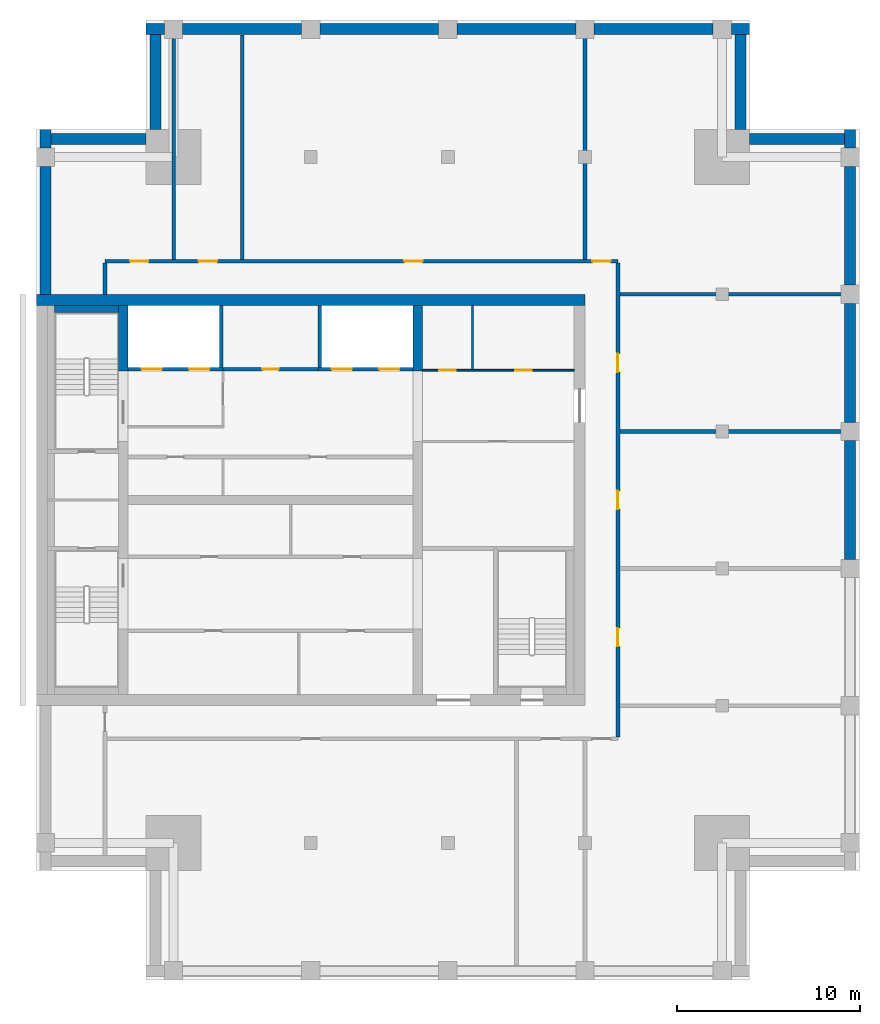
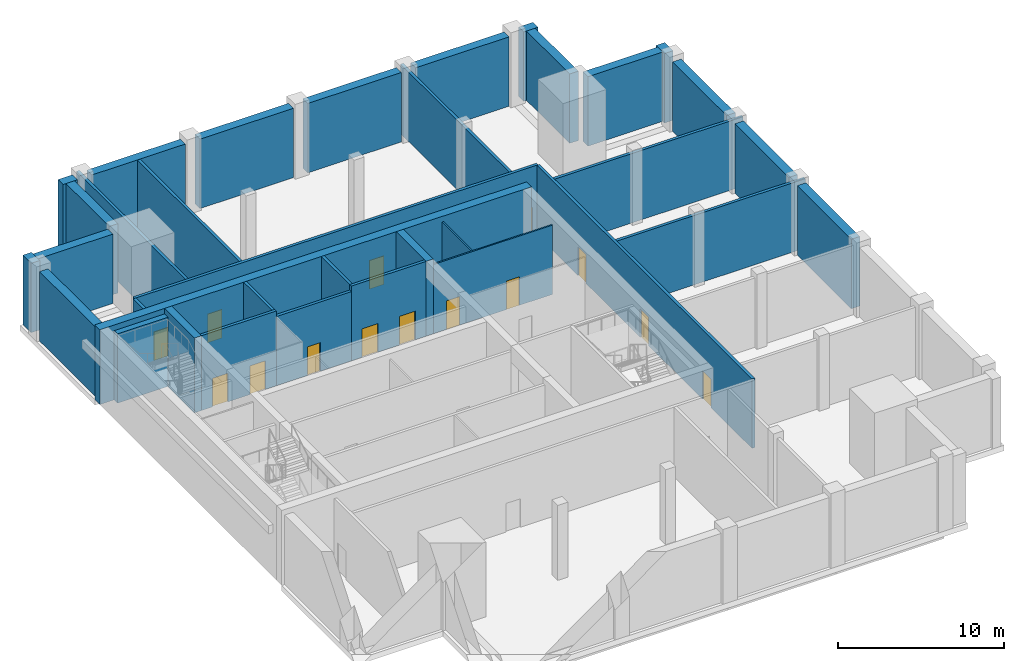
# One storey, part 3 of 8: 35 walls, 14 doors, 14 openings.
"""IFC4 building model written with IfcOpenShell, lengths in metres."""

from ifc_helpers import new_model, si_unit, direction, frame, frame_2d, origin, place, context, subcontext, project, spatial, rectangle, extrude, material, layer, layer_set, type_object, element, fill, save


model = new_model("IFC4")

# Units and contexts
model_context = context("Model", 3, precision=1e-05, world=origin(), true_north=direction((0.0, 1.0)))
body_context = subcontext(model_context, "Body", "Model", "MODEL_VIEW")
ifc_project = project(units=[si_unit("LENGTHUNIT", "METRE"), si_unit("AREAUNIT", "SQUARE_METRE"), si_unit("VOLUMEUNIT", "CUBIC_METRE"), si_unit("PLANEANGLEUNIT", "RADIAN"), si_unit("MASSUNIT", "GRAM", prefix="KILO")], contexts=[model_context])

# Site, building, storey
site_placement = place(None, origin())
site = spatial("IfcSite", under=ifc_project, at=site_placement, CompositionType="ELEMENT")
building_placement = place(site_placement, origin())
building = spatial("IfcBuilding", under=site, at=building_placement, Name="Tamorin Gate", CompositionType="ELEMENT")
storey_placement = place(building_placement, frame((0.0, 0.0, 314.699951171875)))
storey = spatial("IfcBuildingStorey", under=building, at=storey_placement, Name="L77", CompositionType="ELEMENT", Elevation=314.699951171875)

# Wall, openings, doors
ifc_material_1 = material(Name="Concrete C32/40", Category="concrete")
ifc_layer_1 = layer(ifc_material_1, 0.199951171875)
ifc_layer_set_1 = layer_set([ifc_layer_1], Name="Lift lobby face wall 200 EI 120")
wall_type_1 = type_object("IfcWallType", Name="Lift lobby face wall 200 EI 120", PredefinedType="SOLIDWALL", material=ifc_layer_set_1)
wall_1_placement = place(storey_placement, frame((35.0, 78.39990234375, 0.0), z_axis=(0.0, 0.0, 1.0), x_axis=(1.0, 0.0, 0.0)))
wall_1 = element("IfcWall", 1, at=wall_1_placement, inside=storey, type_object=wall_type_1, Name="Lift lobby face wall", PredefinedType="SOLIDWALL", context=body_context, shape_type="SweptSolid", body=[
    extrude(rectangle(XDim=5.199951171875, YDim=0.199951171875, at=frame_2d((2.60009765625, 0.0))), origin(), (0.0, 0.0, 1.0), 5.5),
])
opening_1_placement = place(wall_1_placement, frame((0.75, 0.0, 0.0)))
opening_1 = element("IfcOpeningElement", 2, at=opening_1_placement, cuts=wall_1, Name="Opening LD17", PredefinedType="OPENING", context=body_context, shape_type="SweptSolid", body=[
    extrude(rectangle(XDim=1.10009765625, YDim=2.10009765625, at=frame_2d((0.550048828125, 1.050048828125))), frame((0.0, 0.10986328125, 0.0), z_axis=(0.0, -1.0, 0.0), x_axis=(1.0, 0.0, 0.0)), (0.0, 0.0, 1.0), 0.219970703125),
])
opening_2_placement = place(wall_1_placement, frame((3.35009765625, 0.0, 0.0)))
opening_2 = element("IfcOpeningElement", 3, at=opening_2_placement, cuts=wall_1, Name="Opening LD18", PredefinedType="OPENING", context=body_context, shape_type="SweptSolid", body=[
    extrude(rectangle(XDim=1.10009765625, YDim=2.10009765625, at=frame_2d((0.550048828125, 1.050048828125))), frame((0.0, 0.10986328125, 0.0), z_axis=(0.0, -1.0, 0.0), x_axis=(1.0, 0.0, 0.0)), (0.0, 0.0, 1.0), 0.219970703125),
])
ifc_material_2 = material(Name="Stainless steel sliding door", Category="steel")
door_type_1 = type_object("IfcDoorType", Name="Lift landing door 1100 x 2100 E 90", OperationType="DOUBLE_DOOR_SLIDING", PredefinedType="DOOR", material=ifc_material_2)
door_1_placement = place(opening_1_placement, origin())
door_1 = element("IfcDoor", 4, at=door_1_placement, inside=storey, type_object=door_type_1, Name="FF1 landing door", OperationType="DOUBLE_DOOR_SLIDING", OverallHeight=2.10009765625, OverallWidth=1.10009765625, PredefinedType="DOOR", context=body_context, shape_type="SweptSolid", body=[
    extrude(rectangle(XDim=1.10009765625, YDim=2.10009765625, at=frame_2d((0.550048828125, 1.050048828125))), frame((0.0, 0.02490234375, 0.0), z_axis=(0.0, -1.0, 0.0), x_axis=(1.0, 0.0, 0.0)), (0.0, 0.0, 1.0), 0.050048828125),
])
fill(opening_1, door_1)
door_2_placement = place(opening_2_placement, origin())
door_2 = element("IfcDoor", 5, at=door_2_placement, inside=storey, type_object=door_type_1, Name="FF2 landing door", OperationType="DOUBLE_DOOR_SLIDING", OverallHeight=2.10009765625, OverallWidth=1.10009765625, PredefinedType="DOOR", context=body_context, shape_type="SweptSolid", body=[
    extrude(rectangle(XDim=1.10009765625, YDim=2.10009765625, at=frame_2d((0.550048828125, 1.050048828125))), frame((0.0, 0.02490234375, 0.0), z_axis=(0.0, -1.0, 0.0), x_axis=(1.0, 0.0, 0.0)), (0.0, 0.0, 1.0), 0.050048828125),
])
fill(opening_2, door_2)

wall_2_placement = place(storey_placement, frame((45.39990234375, 78.39990234375, 0.0), z_axis=(0.0, 0.0, 1.0), x_axis=(1.0, 0.0, 0.0)))
wall_2 = element("IfcWall", 6, at=wall_2_placement, inside=storey, type_object=wall_type_1, Name="Lift lobby face wall", PredefinedType="SOLIDWALL", context=body_context, shape_type="SweptSolid", body=[
    extrude(rectangle(XDim=5.2001953125, YDim=0.199951171875, at=frame_2d((2.60009765625, 0.0))), origin(), (0.0, 0.0, 1.0), 5.5),
])
opening_3_placement = place(wall_2_placement, frame((0.75, 0.0, 0.0)))
opening_3 = element("IfcOpeningElement", 7, at=opening_3_placement, cuts=wall_2, Name="Opening LD21", PredefinedType="OPENING", context=body_context, shape_type="SweptSolid", body=[
    extrude(rectangle(XDim=1.10009765625, YDim=2.10009765625, at=frame_2d((0.550048828125, 1.050048828125))), frame((0.0, 0.10986328125, 0.0), z_axis=(0.0, -1.0, 0.0), x_axis=(1.0, 0.0, 0.0)), (0.0, 0.0, 1.0), 0.219970703125),
])
opening_4_placement = place(wall_2_placement, frame((3.35009765625, 0.0, 0.0)))
opening_4 = element("IfcOpeningElement", 8, at=opening_4_placement, cuts=wall_2, Name="Opening LD22", PredefinedType="OPENING", context=body_context, shape_type="SweptSolid", body=[
    extrude(rectangle(XDim=1.10009765625, YDim=2.10009765625, at=frame_2d((0.550048828125, 1.050048828125))), frame((0.0, 0.10986328125, 0.0), z_axis=(0.0, -1.0, 0.0), x_axis=(1.0, 0.0, 0.0)), (0.0, 0.0, 1.0), 0.219970703125),
])
door_3_placement = place(opening_3_placement, origin())
door_3 = element("IfcDoor", 9, at=door_3_placement, inside=storey, type_object=door_type_1, Name="SV1 landing door", OperationType="DOUBLE_DOOR_SLIDING", OverallHeight=2.10009765625, OverallWidth=1.10009765625, PredefinedType="DOOR", context=body_context, shape_type="SweptSolid", body=[
    extrude(rectangle(XDim=1.10009765625, YDim=2.10009765625, at=frame_2d((0.550048828125, 1.050048828125))), frame((0.0, 0.02490234375, 0.0), z_axis=(0.0, -1.0, 0.0), x_axis=(1.0, 0.0, 0.0)), (0.0, 0.0, 1.0), 0.050048828125),
])
fill(opening_3, door_3)
door_4_placement = place(opening_4_placement, origin())
door_4 = element("IfcDoor", 10, at=door_4_placement, inside=storey, type_object=door_type_1, Name="SV2 landing door", OperationType="DOUBLE_DOOR_SLIDING", OverallHeight=2.10009765625, OverallWidth=1.10009765625, PredefinedType="DOOR", context=body_context, shape_type="SweptSolid", body=[
    extrude(rectangle(XDim=1.10009765625, YDim=2.10009765625, at=frame_2d((0.550048828125, 1.050048828125))), frame((0.0, 0.02490234375, 0.0), z_axis=(0.0, -1.0, 0.0), x_axis=(1.0, 0.0, 0.0)), (0.0, 0.0, 1.0), 0.050048828125),
])
fill(opening_4, door_4)

# Walls
ifc_layer_2 = layer(ifc_material_1, 0.199951171875)
ifc_layer_set_2 = layer_set([ifc_layer_2], Name="Lift shaft wall 200 EI 120")
wall_type_2 = type_object("IfcWallType", Name="Lift shaft wall 200 EI 120", PredefinedType="SOLIDWALL", material=ifc_layer_set_2)
for number, where, z_axis, x_axis, name in (
    (11, (40.10009765625, 78.5, 0.0), (0.0, 0.0, 1.0), (0.0, 1.0, 0.0), "Lift shaft wall"),
    (12, (45.5, 78.5, 0.0), (0.0, 0.0, 1.0), (0.0, 1.0, 0.0), "Lift shaft wall"),
):
    element("IfcWall", number, at=place(storey_placement, frame(where, z_axis=z_axis, x_axis=x_axis)), inside=storey, type_object=wall_type_2, Name=name, PredefinedType="SOLIDWALL", context=body_context, shape_type="SweptSolid", body=[
        extrude(rectangle(XDim=3.39990234375, YDim=0.199951171875, at=frame_2d((1.699951171875, 0.0))), origin(), (0.0, 0.0, 1.0), 5.5),
    ])
ifc_material_3 = material(Name="Aluminium louvres in concrete frame", Category="concrete")
ifc_layer_3 = layer(ifc_material_3, 0.60009765625)
ifc_layer_set_3 = layer_set([ifc_layer_3], Name="Louvred plant wall 600")
wall_type_3 = type_object("IfcWallType", Name="Louvred plant wall 600", PredefinedType="ELEMENTEDWALL", material=ifc_layer_set_3)
for number, where, z_axis, x_axis, name in (
    (13, (74.5, 68.0, 0.0), (0.0, 0.0, 1.0), (0.0, 1.0, 0.0), "Louvred plant wall"),
    (14, (74.5, 75.5, 0.0), (0.0, 0.0, 1.0), (0.0, 1.0, 0.0), "Louvred plant wall"),
    (15, (74.5, 83.0, 0.0), (0.0, 0.0, 1.0), (0.0, 1.0, 0.0), "Louvred plant wall"),
):
    element("IfcWall", number, at=place(storey_placement, frame(where, z_axis=z_axis, x_axis=x_axis)), inside=storey, type_object=wall_type_3, Name=name, PredefinedType="ELEMENTEDWALL", context=body_context, shape_type="SweptSolid", body=[
        extrude(rectangle(XDim=6.5, YDim=0.60009765625, at=frame_2d((3.25, 0.0))), origin(), (0.0, 0.0, 1.0), 5.10009765625),
    ])
wall_3_placement = place(storey_placement, frame((74.5, 90.5, 0.0), z_axis=(0.0, 0.0, 1.0), x_axis=(0.0, 1.0, 0.0)))
element("IfcWall", 16, at=wall_3_placement, inside=storey, type_object=wall_type_3, Name="Louvred plant wall", PredefinedType="ELEMENTEDWALL", context=body_context, shape_type="SweptSolid", body=[
    extrude(rectangle(XDim=1.0, YDim=0.60009765625, at=frame_2d((0.5, 0.0))), origin(), (0.0, 0.0, 1.0), 5.10009765625),
])
for number, where, z_axis, x_axis, name in (
    (17, (74.199951171875, 91.0, 0.0), (0.0, 0.0, 1.0), (-1.0, 0.0, 0.0), "Louvred plant wall"),
    (18, (68.5, 91.5, 0.0), (0.0, 0.0, 1.0), (0.0, 1.0, 0.0), "Louvred plant wall"),
):
    element("IfcWall", number, at=place(storey_placement, frame(where, z_axis=z_axis, x_axis=x_axis)), inside=storey, type_object=wall_type_3, Name=name, PredefinedType="ELEMENTEDWALL", context=body_context, shape_type="SweptSolid", body=[
        extrude(rectangle(XDim=5.199951171875, YDim=0.60009765625, at=frame_2d((2.60009765625, 0.0))), origin(), (0.0, 0.0, 1.0), 5.10009765625),
    ])
wall_4_placement = place(storey_placement, frame((69.0, 97.0, 0.0), z_axis=(0.0, 0.0, 1.0), x_axis=(-1.0, 0.0, 0.0)))
element("IfcWall", 19, at=wall_4_placement, inside=storey, type_object=wall_type_3, Name="Louvred plant wall", PredefinedType="ELEMENTEDWALL", context=body_context, shape_type="SweptSolid", body=[
    extrude(rectangle(XDim=1.0, YDim=0.60009765625, at=frame_2d((0.5, 0.0))), origin(), (0.0, 0.0, 1.0), 5.10009765625),
])
for number, where, z_axis, x_axis, name in (
    (20, (67.0, 97.0, 0.0), (0.0, 0.0, 1.0), (-1.0, 0.0, 0.0), "Louvred plant wall"),
    (21, (59.5, 97.0, 0.0), (0.0, 0.0, 1.0), (-1.0, 0.0, 0.0), "Louvred plant wall"),
    (22, (52.0, 97.0, 0.0), (0.0, 0.0, 1.0), (-1.0, 0.0, 0.0), "Louvred plant wall"),
    (23, (44.5, 97.0, 0.0), (0.0, 0.0, 1.0), (-1.0, 0.0, 0.0), "Louvred plant wall"),
):
    element("IfcWall", number, at=place(storey_placement, frame(where, z_axis=z_axis, x_axis=x_axis)), inside=storey, type_object=wall_type_3, Name=name, PredefinedType="ELEMENTEDWALL", context=body_context, shape_type="SweptSolid", body=[
        extrude(rectangle(XDim=6.5, YDim=0.60009765625, at=frame_2d((3.25, 0.0))), origin(), (0.0, 0.0, 1.0), 5.10009765625),
    ])
wall_5_placement = place(storey_placement, frame((37.0, 97.0, 0.0), z_axis=(0.0, 0.0, 1.0), x_axis=(-1.0, 0.0, 0.0)))
element("IfcWall", 24, at=wall_5_placement, inside=storey, type_object=wall_type_3, Name="Louvred plant wall", PredefinedType="ELEMENTEDWALL", context=body_context, shape_type="SweptSolid", body=[
    extrude(rectangle(XDim=1.0, YDim=0.60009765625, at=frame_2d((0.5, 0.0))), origin(), (0.0, 0.0, 1.0), 5.10009765625),
])
for number, where, z_axis, x_axis, name in (
    (25, (36.5, 96.699951171875, 0.0), (0.0, 0.0, 1.0), (0.0, -1.0, 0.0), "Louvred plant wall"),
    (26, (36.0, 91.0, 0.0), (0.0, 0.0, 1.0), (-1.0, 0.0, 0.0), "Louvred plant wall"),
):
    element("IfcWall", number, at=place(storey_placement, frame(where, z_axis=z_axis, x_axis=x_axis)), inside=storey, type_object=wall_type_3, Name=name, PredefinedType="ELEMENTEDWALL", context=body_context, shape_type="SweptSolid", body=[
        extrude(rectangle(XDim=5.199951171875, YDim=0.60009765625, at=frame_2d((2.60009765625, 0.0))), origin(), (0.0, 0.0, 1.0), 5.10009765625),
    ])
wall_6_placement = place(storey_placement, frame((30.5, 91.5, 0.0), z_axis=(0.0, 0.0, 1.0), x_axis=(0.0, -1.0, 0.0)))
element("IfcWall", 27, at=wall_6_placement, inside=storey, type_object=wall_type_3, Name="Louvred plant wall", PredefinedType="ELEMENTEDWALL", context=body_context, shape_type="SweptSolid", body=[
    extrude(rectangle(XDim=1.0, YDim=0.60009765625, at=frame_2d((0.5, 0.0))), origin(), (0.0, 0.0, 1.0), 5.10009765625),
])
wall_7_placement = place(storey_placement, frame((30.5, 89.5, 0.0), z_axis=(0.0, 0.0, 1.0), x_axis=(0.0, -1.0, 0.0)))
element("IfcWall", 28, at=wall_7_placement, inside=storey, type_object=wall_type_3, Name="Louvred plant wall", PredefinedType="ELEMENTEDWALL", context=body_context, shape_type="SweptSolid", body=[
    extrude(rectangle(XDim=7.0, YDim=0.60009765625, at=frame_2d((3.5, 0.0))), origin(), (0.0, 0.0, 1.0), 5.10009765625),
])
ifc_material_4 = material(Name="Gypsum board partition")
ifc_layer_4 = layer(ifc_material_4, 0.199951171875)
ifc_layer_set_4 = layer_set([ifc_layer_4], Name="Plant and refuge wall 200")
wall_type_4 = type_object("IfcWallType", Name="Plant and refuge wall 200", PredefinedType="PARTITIONING", material=ifc_layer_set_4)
for number, where, z_axis, x_axis, name in (
    (29, (61.89990234375, 75.0, 0.0), (0.0, 0.0, 1.0), (1.0, 0.0, 0.0), "Plant and refuge wall 200"),
    (30, (61.89990234375, 82.5, 0.0), (0.0, 0.0, 1.0), (1.0, 0.0, 0.0), "Plant and refuge wall 200"),
):
    element("IfcWall", number, at=place(storey_placement, frame(where, z_axis=z_axis, x_axis=x_axis)), inside=storey, type_object=wall_type_4, Name=name, PredefinedType="PARTITIONING", context=body_context, shape_type="SweptSolid", body=[
        extrude(rectangle(XDim=13.10009765625, YDim=0.199951171875, at=frame_2d((6.550048828125, 0.0))), origin(), (0.0, 0.0, 1.0), 5.10009765625),
    ])

# Wall, openings, doors
wall_8_placement = place(storey_placement, frame((33.75, 84.300048828125, 0.0), z_axis=(0.0, 0.0, 1.0), x_axis=(1.0, 0.0, 0.0)))
wall_8 = element("IfcWall", 31, at=wall_8_placement, inside=storey, type_object=wall_type_4, Name="Plant and refuge wall 200", PredefinedType="PARTITIONING", context=body_context, shape_type="SweptSolid", body=[
    extrude(rectangle(XDim=28.050048828125, YDim=0.199951171875, at=frame_2d((14.02490234375, 0.0))), origin(), (0.0, 0.0, 1.0), 5.10009765625),
])
opening_5_placement = place(wall_8_placement, frame((1.375, 0.0, 0.0)))
opening_5 = element("IfcOpeningElement", 32, at=opening_5_placement, cuts=wall_8, Name="Opening DPL4005", PredefinedType="OPENING", context=body_context, shape_type="SweptSolid", body=[
    extrude(rectangle(XDim=1.0, YDim=2.10009765625, at=frame_2d((0.5, 1.050048828125))), frame((0.0, 0.10986328125, 0.0), z_axis=(0.0, -1.0, 0.0), x_axis=(1.0, 0.0, 0.0)), (0.0, 0.0, 1.0), 0.219970703125),
])
opening_6_placement = place(wall_8_placement, frame((5.125, 0.0, 0.0)))
opening_6 = element("IfcOpeningElement", 33, at=opening_6_placement, cuts=wall_8, Name="Opening DPL4006", PredefinedType="OPENING", context=body_context, shape_type="SweptSolid", body=[
    extrude(rectangle(XDim=1.0, YDim=2.10009765625, at=frame_2d((0.5, 1.050048828125))), frame((0.0, 0.10986328125, 0.0), z_axis=(0.0, -1.0, 0.0), x_axis=(1.0, 0.0, 0.0)), (0.0, 0.0, 1.0), 0.219970703125),
])
opening_7_placement = place(wall_8_placement, frame((16.375, 0.0, 0.0)))
opening_7 = element("IfcOpeningElement", 34, at=opening_7_placement, cuts=wall_8, Name="Opening DPL4007", PredefinedType="OPENING", context=body_context, shape_type="SweptSolid", body=[
    extrude(rectangle(XDim=1.0, YDim=2.10009765625, at=frame_2d((0.5, 1.050048828125))), frame((0.0, 0.10986328125, 0.0), z_axis=(0.0, -1.0, 0.0), x_axis=(1.0, 0.0, 0.0)), (0.0, 0.0, 1.0), 0.219970703125),
])
opening_8_placement = place(wall_8_placement, frame((26.64990234375, 0.0, 0.0)))
opening_8 = element("IfcOpeningElement", 35, at=opening_8_placement, cuts=wall_8, Name="Opening DPL4008", PredefinedType="OPENING", context=body_context, shape_type="SweptSolid", body=[
    extrude(rectangle(XDim=1.0, YDim=2.10009765625, at=frame_2d((0.5, 1.050048828125))), frame((0.0, 0.10986328125, 0.0), z_axis=(0.0, -1.0, 0.0), x_axis=(1.0, 0.0, 0.0)), (0.0, 0.0, 1.0), 0.219970703125),
])
ifc_material_5 = material(Name="Timber door leaf", Category="wood")
door_type_2 = type_object("IfcDoorType", Name="Door 1000 x 2100 FD60", OperationType="NOTDEFINED", PredefinedType="DOOR", material=ifc_material_5)
door_5_placement = place(opening_5_placement, origin())
door_5 = element("IfcDoor", 36, at=door_5_placement, inside=storey, type_object=door_type_2, Name="Door DPL4005", OperationType="SINGLE_SWING_LEFT", OverallHeight=2.10009765625, OverallWidth=1.0, PredefinedType="DOOR", context=body_context, shape_type="SweptSolid", body=[
    extrude(rectangle(XDim=1.0, YDim=2.10009765625, at=frame_2d((0.5, 1.050048828125))), frame((0.0, 0.02490234375, 0.0), z_axis=(0.0, -1.0, 0.0), x_axis=(1.0, 0.0, 0.0)), (0.0, 0.0, 1.0), 0.050048828125),
])
fill(opening_5, door_5)
door_6_placement = place(opening_6_placement, origin())
door_6 = element("IfcDoor", 37, at=door_6_placement, inside=storey, type_object=door_type_2, Name="Door DPL4006", OperationType="SINGLE_SWING_LEFT", OverallHeight=2.10009765625, OverallWidth=1.0, PredefinedType="DOOR", context=body_context, shape_type="SweptSolid", body=[
    extrude(rectangle(XDim=1.0, YDim=2.10009765625, at=frame_2d((0.5, 1.050048828125))), frame((0.0, 0.02490234375, 0.0), z_axis=(0.0, -1.0, 0.0), x_axis=(1.0, 0.0, 0.0)), (0.0, 0.0, 1.0), 0.050048828125),
])
fill(opening_6, door_6)
door_7_placement = place(opening_7_placement, origin())
door_7 = element("IfcDoor", 38, at=door_7_placement, inside=storey, type_object=door_type_2, Name="Door DPL4007", OperationType="SINGLE_SWING_LEFT", OverallHeight=2.10009765625, OverallWidth=1.0, PredefinedType="DOOR", context=body_context, shape_type="SweptSolid", body=[
    extrude(rectangle(XDim=1.0, YDim=2.10009765625, at=frame_2d((0.5, 1.050048828125))), frame((0.0, 0.02490234375, 0.0), z_axis=(0.0, -1.0, 0.0), x_axis=(1.0, 0.0, 0.0)), (0.0, 0.0, 1.0), 0.050048828125),
])
fill(opening_7, door_7)
door_8_placement = place(opening_8_placement, origin())
door_8 = element("IfcDoor", 39, at=door_8_placement, inside=storey, type_object=door_type_2, Name="Door DPL4008", OperationType="SINGLE_SWING_LEFT", OverallHeight=2.10009765625, OverallWidth=1.0, PredefinedType="DOOR", context=body_context, shape_type="SweptSolid", body=[
    extrude(rectangle(XDim=1.0, YDim=2.10009765625, at=frame_2d((0.5, 1.050048828125))), frame((0.0, 0.02490234375, 0.0), z_axis=(0.0, -1.0, 0.0), x_axis=(1.0, 0.0, 0.0)), (0.0, 0.0, 1.0), 0.050048828125),
])
fill(opening_8, door_8)

# Walls
wall_9_placement = place(storey_placement, frame((33.75, 82.5, 0.0), z_axis=(0.0, 0.0, 1.0), x_axis=(0.0, 1.0, 0.0)))
element("IfcWall", 40, at=wall_9_placement, inside=storey, type_object=wall_type_4, Name="Plant and refuge wall 200", PredefinedType="PARTITIONING", context=body_context, shape_type="SweptSolid", body=[
    extrude(rectangle(XDim=1.699951171875, YDim=0.199951171875, at=frame_2d((0.85009765625, 0.0))), origin(), (0.0, 0.0, 1.0), 5.10009765625),
])
wall_10_placement = place(storey_placement, frame((37.5, 84.39990234375, 0.0), z_axis=(0.0, 0.0, 1.0), x_axis=(0.0, 1.0, 0.0)))
element("IfcWall", 41, at=wall_10_placement, inside=storey, type_object=wall_type_4, Name="Plant and refuge wall 200", PredefinedType="PARTITIONING", context=body_context, shape_type="SweptSolid", body=[
    extrude(rectangle(XDim=13.10009765625, YDim=0.199951171875, at=frame_2d((6.550048828125, 0.0))), origin(), (0.0, 0.0, 1.0), 5.10009765625),
])
wall_11_placement = place(storey_placement, frame((41.25, 84.39990234375, 0.0), z_axis=(0.0, 0.0, 1.0), x_axis=(0.0, 1.0, 0.0)))
element("IfcWall", 42, at=wall_11_placement, inside=storey, type_object=wall_type_4, Name="Plant and refuge wall 200", PredefinedType="PARTITIONING", context=body_context, shape_type="SweptSolid", body=[
    extrude(rectangle(XDim=12.2900390625, YDim=0.199951171875, at=frame_2d((6.14501953125, 0.0))), origin(), (0.0, 0.0, 1.0), 5.10009765625),
])
wall_12_placement = place(storey_placement, frame((60.0, 84.39990234375, 0.0), z_axis=(0.0, 0.0, 1.0), x_axis=(0.0, 1.0, 0.0)))
element("IfcWall", 43, at=wall_12_placement, inside=storey, type_object=wall_type_4, Name="Plant and refuge wall 200", PredefinedType="PARTITIONING", context=body_context, shape_type="SweptSolid", body=[
    extrude(rectangle(XDim=13.10009765625, YDim=0.199951171875, at=frame_2d((6.550048828125, 0.0))), origin(), (0.0, 0.0, 1.0), 5.10009765625),
])

# Wall, openings, doors
wall_13_placement = place(storey_placement, frame((61.800048828125, 58.300048828125, 0.0), z_axis=(0.0, 0.0, 1.0), x_axis=(0.0, 1.0, 0.0)))
wall_13 = element("IfcWall", 44, at=wall_13_placement, inside=storey, type_object=wall_type_4, Name="Plant and refuge wall 200", PredefinedType="PARTITIONING", context=body_context, shape_type="SweptSolid", body=[
    extrude(rectangle(XDim=25.89990234375, YDim=0.199951171875, at=frame_2d((12.949951171875, 0.0))), origin(), (0.0, 0.0, 1.0), 5.10009765625),
])
opening_9_placement = place(wall_13_placement, frame((4.949951171875, 0.0, 0.0)))
opening_9 = element("IfcOpeningElement", 45, at=opening_9_placement, cuts=wall_13, Name="Opening DPL4009", PredefinedType="OPENING", context=body_context, shape_type="SweptSolid", body=[
    extrude(rectangle(XDim=1.0, YDim=2.10009765625, at=frame_2d((0.5, 1.050048828125))), frame((0.0, 0.10986328125, 0.0), z_axis=(0.0, -1.0, 0.0), x_axis=(1.0, 0.0, 0.0)), (0.0, 0.0, 1.0), 0.219970703125),
])
opening_10_placement = place(wall_13_placement, frame((12.449951171875, 0.0, 0.0)))
opening_10 = element("IfcOpeningElement", 46, at=opening_10_placement, cuts=wall_13, Name="Opening DPL4010", PredefinedType="OPENING", context=body_context, shape_type="SweptSolid", body=[
    extrude(rectangle(XDim=1.0, YDim=2.10009765625, at=frame_2d((0.5, 1.050048828125))), frame((0.0, 0.10986328125, 0.0), z_axis=(0.0, -1.0, 0.0), x_axis=(1.0, 0.0, 0.0)), (0.0, 0.0, 1.0), 0.219970703125),
])
opening_11_placement = place(wall_13_placement, frame((19.949951171875, 0.0, 0.0)))
opening_11 = element("IfcOpeningElement", 47, at=opening_11_placement, cuts=wall_13, Name="Opening DPL4011", PredefinedType="OPENING", context=body_context, shape_type="SweptSolid", body=[
    extrude(rectangle(XDim=1.0, YDim=2.10009765625, at=frame_2d((0.5, 1.050048828125))), frame((0.0, 0.10986328125, 0.0), z_axis=(0.0, -1.0, 0.0), x_axis=(1.0, 0.0, 0.0)), (0.0, 0.0, 1.0), 0.219970703125),
])
door_9_placement = place(opening_9_placement, origin())
door_9 = element("IfcDoor", 48, at=door_9_placement, inside=storey, type_object=door_type_2, Name="Door DPL4009", OperationType="SINGLE_SWING_RIGHT", OverallHeight=2.10009765625, OverallWidth=1.0, PredefinedType="DOOR", context=body_context, shape_type="SweptSolid", body=[
    extrude(rectangle(XDim=1.0, YDim=2.10009765625, at=frame_2d((0.5, 1.050048828125))), frame((0.0, 0.02490234375, 0.0), z_axis=(0.0, -1.0, 0.0), x_axis=(1.0, 0.0, 0.0)), (0.0, 0.0, 1.0), 0.050048828125),
])
fill(opening_9, door_9)
door_10_placement = place(opening_10_placement, origin())
door_10 = element("IfcDoor", 49, at=door_10_placement, inside=storey, type_object=door_type_2, Name="Door DPL4010", OperationType="SINGLE_SWING_RIGHT", OverallHeight=2.10009765625, OverallWidth=1.0, PredefinedType="DOOR", context=body_context, shape_type="SweptSolid", body=[
    extrude(rectangle(XDim=1.0, YDim=2.10009765625, at=frame_2d((0.5, 1.050048828125))), frame((0.0, 0.02490234375, 0.0), z_axis=(0.0, -1.0, 0.0), x_axis=(1.0, 0.0, 0.0)), (0.0, 0.0, 1.0), 0.050048828125),
])
fill(opening_10, door_10)
door_11_placement = place(opening_11_placement, origin())
door_11 = element("IfcDoor", 50, at=door_11_placement, inside=storey, type_object=door_type_2, Name="Door DPL4011", OperationType="SINGLE_SWING_RIGHT", OverallHeight=2.10009765625, OverallWidth=1.0, PredefinedType="DOOR", context=body_context, shape_type="SweptSolid", body=[
    extrude(rectangle(XDim=1.0, YDim=2.10009765625, at=frame_2d((0.5, 1.050048828125))), frame((0.0, 0.02490234375, 0.0), z_axis=(0.0, -1.0, 0.0), x_axis=(1.0, 0.0, 0.0)), (0.0, 0.0, 1.0), 0.050048828125),
])
fill(opening_11, door_11)

# Walls
ifc_material_6 = material(Name="Concrete C50/60", Category="concrete")
ifc_layer_5 = layer(ifc_material_6, 0.5)
ifc_layer_set_5 = layer_set([ifc_layer_5], Name="RC core internal wall 500 C50/60")
wall_type_5 = type_object("IfcWallType", Name="RC core internal wall 500 C50/60", PredefinedType="SHEAR", material=ifc_layer_set_5)
for number, where, z_axis, x_axis, name in (
    (51, (34.75, 78.300048828125, 0.0), (0.0, 0.0, 1.0), (0.0, 1.0, 0.0), "Core cross wall L77"),
    (52, (50.85009765625, 78.300048828125, 0.0), (0.0, 0.0, 1.0), (0.0, 1.0, 0.0), "Core cross wall L77"),
):
    element("IfcWall", number, at=place(storey_placement, frame(where, z_axis=z_axis, x_axis=x_axis)), inside=storey, type_object=wall_type_5, Name=name, PredefinedType="SHEAR", context=body_context, shape_type="SweptSolid", body=[
        extrude(rectangle(XDim=3.599853515625, YDim=0.5, at=frame_2d((1.7998046875, 0.0))), origin(), (0.0, 0.0, 1.0), 5.5),
    ])
ifc_layer_6 = layer(ifc_material_6, 0.60009765625)
ifc_layer_set_6 = layer_set([ifc_layer_6], Name="RC core wall 600 C50/60")
wall_type_6 = type_object("IfcWallType", Name="RC core wall 600 C50/60", PredefinedType="SHEAR", material=ifc_layer_set_6)
wall_14_placement = place(storey_placement, frame((30.0, 82.199951171875, 0.0), z_axis=(0.0, 0.0, 1.0), x_axis=(1.0, 0.0, 0.0)))
element("IfcWall", 53, at=wall_14_placement, inside=storey, type_object=wall_type_6, Name="Core wall L77", PredefinedType="SHEAR", context=body_context, shape_type="SweptSolid", body=[
    extrude(rectangle(XDim=30.0, YDim=0.60009765625, at=frame_2d((15.0, 0.0))), origin(), (0.0, 0.0, 1.0), 5.5),
])

# Wall, opening, door
ifc_layer_7 = layer(ifc_material_4, 0.199951171875)
ifc_layer_set_7 = layer_set([ifc_layer_7], Name="Service room face wall 200 EI 60")
wall_type_7 = type_object("IfcWallType", Name="Service room face wall 200 EI 60", PredefinedType="PARTITIONING", material=ifc_layer_set_7)
wall_15_placement = place(storey_placement, frame((40.199951171875, 78.39990234375, 0.0), z_axis=(0.0, 0.0, 1.0), x_axis=(1.0, 0.0, 0.0)))
wall_15 = element("IfcWall", 54, at=wall_15_placement, inside=storey, type_object=wall_type_7, Name="Service room face wall", PredefinedType="PARTITIONING", context=body_context, shape_type="SweptSolid", body=[
    extrude(rectangle(XDim=5.199951171875, YDim=0.199951171875, at=frame_2d((2.60009765625, 0.0))), origin(), (0.0, 0.0, 1.0), 5.090087890625),
])
opening_12_placement = place(wall_15_placement, frame((2.14990234375, 0.0, 0.0)))
opening_12 = element("IfcOpeningElement", 55, at=opening_12_placement, cuts=wall_15, Name="Opening DK1", PredefinedType="OPENING", context=body_context, shape_type="SweptSolid", body=[
    extrude(rectangle(XDim=0.89990234375, YDim=2.10009765625, at=frame_2d((0.449951171875, 1.050048828125))), frame((0.0, 0.10986328125, 0.0), z_axis=(0.0, -1.0, 0.0), x_axis=(1.0, 0.0, 0.0)), (0.0, 0.0, 1.0), 0.219970703125),
])
ifc_material_7 = material(Name="Timber fire door", Category="wood")
door_type_3 = type_object("IfcDoorType", Name="Service room door 900 x 2100 EI 60", OperationType="SINGLE_SWING_LEFT", PredefinedType="DOOR", material=ifc_material_7)
door_12_placement = place(opening_12_placement, origin())
door_12 = element("IfcDoor", 56, at=door_12_placement, inside=storey, type_object=door_type_3, Name="Door Pump room", OperationType="SINGLE_SWING_LEFT", OverallHeight=2.10009765625, OverallWidth=0.89990234375, PredefinedType="DOOR", context=body_context, shape_type="SweptSolid", body=[
    extrude(rectangle(XDim=0.89990234375, YDim=2.10009765625, at=frame_2d((0.449951171875, 1.050048828125))), frame((0.0, 0.02490234375, 0.0), z_axis=(0.0, -1.0, 0.0), x_axis=(1.0, 0.0, 0.0)), (0.0, 0.0, 1.0), 0.050048828125),
])
fill(opening_12, door_12)

# Wall, openings, doors
ifc_layer_8 = layer(ifc_material_4, 0.10009765625)
ifc_layer_set_8 = layer_set([ifc_layer_8], Name="Service room partition 100 EI 60")
wall_type_8 = type_object("IfcWallType", Name="Service room partition 100 EI 60", PredefinedType="PARTITIONING", material=ifc_layer_set_8)
wall_16_placement = place(storey_placement, frame((51.10009765625, 78.35009765625, 0.0), z_axis=(0.0, 0.0, 1.0), x_axis=(1.0, 0.0, 0.0)))
wall_16 = element("IfcWall", 57, at=wall_16_placement, inside=storey, type_object=wall_type_8, Name="Service room wall", PredefinedType="PARTITIONING", context=body_context, shape_type="SweptSolid", body=[
    extrude(rectangle(XDim=8.2998046875, YDim=0.10009765625, at=frame_2d((4.14990234375, 0.0))), origin(), (0.0, 0.0, 1.0), 5.090087890625),
])
opening_13_placement = place(wall_16_placement, frame((0.925048828125, 0.0, 0.0)))
opening_13 = element("IfcOpeningElement", 58, at=opening_13_placement, cuts=wall_16, Name="Opening DK1", PredefinedType="OPENING", context=body_context, shape_type="SweptSolid", body=[
    extrude(rectangle(XDim=0.89990234375, YDim=2.10009765625, at=frame_2d((0.449951171875, 1.050048828125))), frame((0.0, 0.06005859375, 0.0), z_axis=(0.0, -1.0, 0.0), x_axis=(1.0, 0.0, 0.0)), (0.0, 0.0, 1.0), 0.1201171875),
])
opening_14_placement = place(wall_16_placement, frame((5.074951171875, 0.0, 0.0)))
opening_14 = element("IfcOpeningElement", 59, at=opening_14_placement, cuts=wall_16, Name="Opening DK1", PredefinedType="OPENING", context=body_context, shape_type="SweptSolid", body=[
    extrude(rectangle(XDim=0.89990234375, YDim=2.10009765625, at=frame_2d((0.449951171875, 1.050048828125))), frame((0.0, 0.06005859375, 0.0), z_axis=(0.0, -1.0, 0.0), x_axis=(1.0, 0.0, 0.0)), (0.0, 0.0, 1.0), 0.1201171875),
])
door_13_placement = place(opening_13_placement, origin())
door_13 = element("IfcDoor", 60, at=door_13_placement, inside=storey, type_object=door_type_3, Name="Door Pump room", OperationType="SINGLE_SWING_LEFT", OverallHeight=2.10009765625, OverallWidth=0.89990234375, PredefinedType="DOOR", context=body_context, shape_type="SweptSolid", body=[
    extrude(rectangle(XDim=0.89990234375, YDim=2.10009765625, at=frame_2d((0.449951171875, 1.050048828125))), frame((0.0, 0.02490234375, 0.0), z_axis=(0.0, -1.0, 0.0), x_axis=(1.0, 0.0, 0.0)), (0.0, 0.0, 1.0), 0.050048828125),
])
fill(opening_13, door_13)
door_14_placement = place(opening_14_placement, origin())
door_14 = element("IfcDoor", 61, at=door_14_placement, inside=storey, type_object=door_type_3, Name="Door Plant store", OperationType="SINGLE_SWING_RIGHT", OverallHeight=2.10009765625, OverallWidth=0.89990234375, PredefinedType="DOOR", context=body_context, shape_type="SweptSolid", body=[
    extrude(rectangle(XDim=0.89990234375, YDim=2.10009765625, at=frame_2d((0.449951171875, 1.050048828125))), frame((0.0, 0.02490234375, 0.0), z_axis=(0.0, -1.0, 0.0), x_axis=(1.0, 0.0, 0.0)), (0.0, 0.0, 1.0), 0.050048828125),
])
fill(opening_14, door_14)

# Walls
wall_17_placement = place(storey_placement, frame((53.85009765625, 78.39990234375, 0.0), z_axis=(0.0, 0.0, 1.0), x_axis=(0.0, 1.0, 0.0)))
element("IfcWall", 62, at=wall_17_placement, inside=storey, type_object=wall_type_8, Name="Service room partition", PredefinedType="PARTITIONING", context=body_context, shape_type="SweptSolid", body=[
    extrude(rectangle(XDim=3.5, YDim=0.10009765625, at=frame_2d((1.75, 0.0))), origin(), (0.0, 0.0, 1.0), 5.090087890625),
])
ifc_layer_9 = layer(ifc_material_6, 0.39990234375)
ifc_layer_set_9 = layer_set([ifc_layer_9], Name="Stair lining wall 400 EI 120 C50/60")
wall_type_9 = type_object("IfcWallType", Name="Stair lining wall 400 EI 120 C50/60", PredefinedType="SOLIDWALL", material=ifc_layer_set_9)
wall_18_placement = place(storey_placement, frame((31.0, 81.699951171875, 0.0), z_axis=(0.0, 0.0, 1.0), x_axis=(1.0, 0.0, 0.0)))
element("IfcWall", 63, at=wall_18_placement, inside=storey, type_object=wall_type_9, Name="Stair lining wall", PredefinedType="SOLIDWALL", context=body_context, shape_type="SweptSolid", body=[
    extrude(rectangle(XDim=3.5, YDim=0.39990234375, at=frame_2d((1.75, 0.0))), origin(), (0.0, 0.0, 1.0), 5.090087890625),
])

save(model, "model.ifc")
